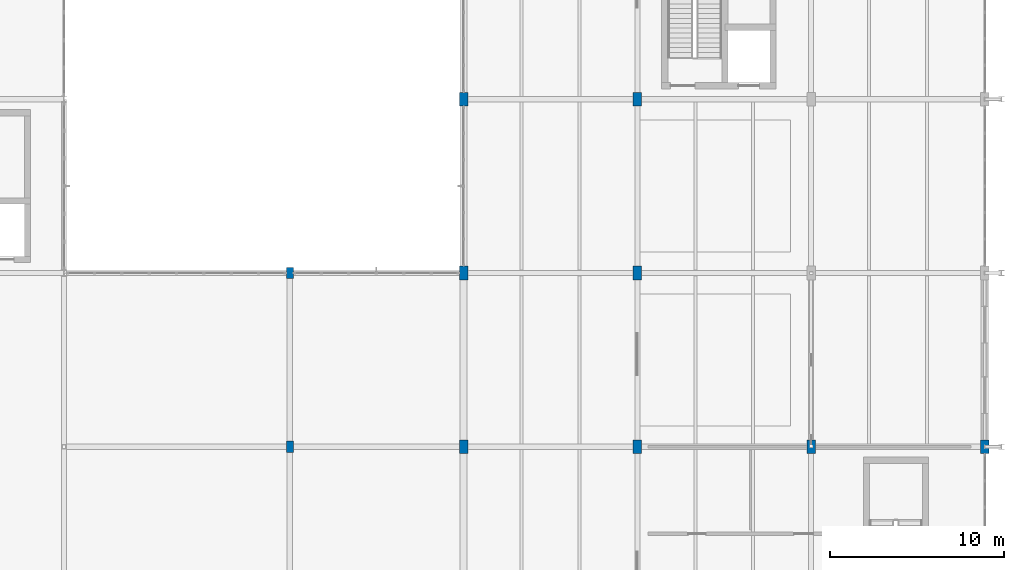
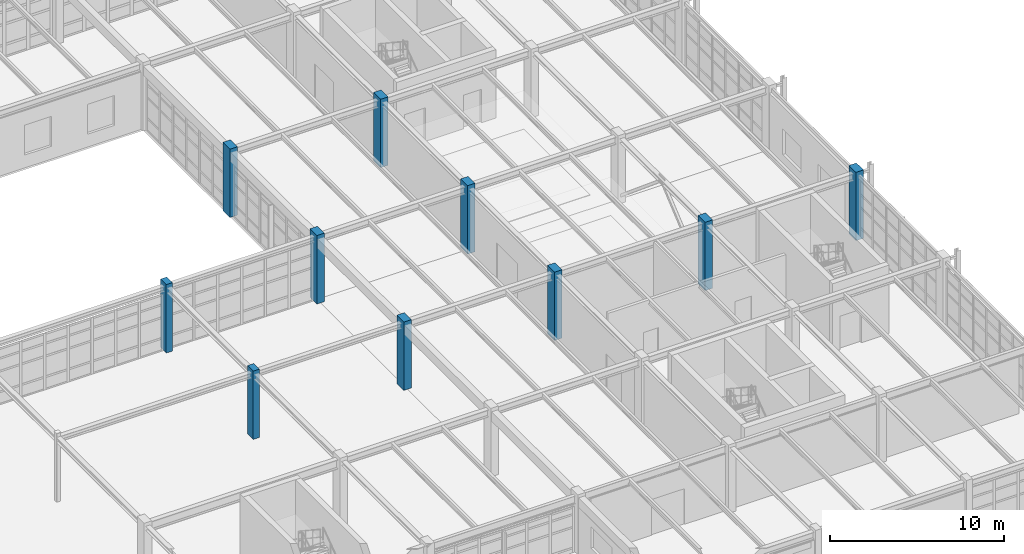
# One storey, part 19 of 139: 10 columns.
"""IFC4 building model written with IfcOpenShell, lengths in metres."""

import ifcopenshell
import ifcopenshell.guid

model = None  # the IFC model being written
_history = None  # IfcOwnerHistory: only IFC2X3 demands one
_inside = {}  # id of a spatial element -> (the spatial element, [elements in it])
_under = {}  # id of a project, library or spatial element -> (it, [spatial elements below it])
_declared = {}  # id of a project -> (the project, [libraries it declares])
_typed = {}  # id of a type object -> (the type object, [elements of that type])
_made_of = {}  # id of a material, layer set ... -> (it, [elements and type objects made of it])


def new_model(schema):
    """Start an empty IFC model of exactly this schema.

    Asked for "IFC4X3", IfcOpenShell would pick the latest addendum, in which some entities
    have other attributes; the version numbers below select the first issue.
    IFC2X3 requires an IfcOwnerHistory on every rooted entity: one is made here for all.
    """
    global model, _history
    if schema == "IFC4X3":
        model = ifcopenshell.file(schema_version=(4, 3, 0, 0))
    else:
        model = ifcopenshell.file(schema=schema)
    _inside.clear()
    _under.clear()
    _declared.clear()
    _typed.clear()
    _made_of.clear()
    _history = None
    if model.schema == "IFC2X3":
        org = make("IfcOrganization", Name="unknown")
        user = make(
            "IfcPersonAndOrganization",
            ThePerson=make("IfcPerson", FamilyName="unknown"),
            TheOrganization=org,
        )
        app = make(
            "IfcApplication",
            ApplicationDeveloper=org,
            Version="unknown",
            ApplicationFullName="unknown",
            ApplicationIdentifier="unknown",
        )
        _history = make(
            "IfcOwnerHistory",
            OwningUser=user,
            OwningApplication=app,
            ChangeAction="ADDED",
            CreationDate=0,
        )
    return model


def make(cls, **values):
    """One entity of the class cls with the attributes given. An attribute that is None is left unset."""
    return model.create_entity(
        cls, **{name: value for name, value in values.items() if value is not None}
    )


def rooted(cls, **values):
    """An entity with a GlobalId (a new one), such as an element, a storey or a relation."""
    return make(cls, GlobalId=ifcopenshell.guid.new(), OwnerHistory=_history, **values)


def si_unit(unit_type, name, prefix=None):
    """IfcSIUnit, for example si_unit("LENGTHUNIT", "METRE", prefix="MILLI")."""
    return make("IfcSIUnit", UnitType=unit_type, Prefix=prefix, Name=name)


def assignment(units):
    """IfcUnitAssignment: the units of a project."""
    return None if units is None else make("IfcUnitAssignment", Units=units)


def point(xyz):
    """IfcCartesianPoint."""
    return None if xyz is None else make("IfcCartesianPoint", Coordinates=xyz)


def direction(xyz):
    """IfcDirection."""
    return None if xyz is None else make("IfcDirection", DirectionRatios=xyz)


def frame(location, z_axis=None, x_axis=None):
    """IfcAxis2Placement3D, a coordinate frame: its origin and axes. An axis left out is left unset."""
    return make(
        "IfcAxis2Placement3D",
        Location=point(location),
        Axis=direction(z_axis),
        RefDirection=direction(x_axis),
    )


def frame_2d(location, x_axis=None):
    """IfcAxis2Placement2D, a coordinate frame in the plane: its origin and x axis."""
    return make(
        "IfcAxis2Placement2D", Location=point(location), RefDirection=direction(x_axis)
    )


def origin():
    """The frame at (0, 0, 0) with its axes left unset."""
    return frame((0.0, 0.0, 0.0))


def origin_2d():
    """The frame at (0, 0) in the plane with its x axis left unset."""
    return frame_2d((0.0, 0.0))


def place(relative_to, where):
    """IfcLocalPlacement: puts the frame where relative to a parent placement (None: the world)."""
    return make(
        "IfcLocalPlacement", PlacementRelTo=relative_to, RelativePlacement=where
    )


def context(
    kind, dimensions, precision=None, world=None, true_north=None, identifier=None
):
    """IfcGeometricRepresentationContext, for example the 3D "Model" context."""
    return make(
        "IfcGeometricRepresentationContext",
        ContextIdentifier=identifier,
        ContextType=kind,
        CoordinateSpaceDimension=dimensions,
        Precision=precision,
        WorldCoordinateSystem=world,
        TrueNorth=true_north,
    )


def subcontext(parent, identifier, kind, view, scale=None):
    """IfcGeometricRepresentationSubContext, for example "Body" below "Model"."""
    return make(
        "IfcGeometricRepresentationSubContext",
        ContextIdentifier=identifier,
        ContextType=kind,
        ParentContext=parent,
        TargetScale=scale,
        TargetView=view,
    )


def project(units=None, contexts=None):
    """IfcProject with its units and contexts."""
    return rooted(
        "IfcProject",
        Name="project",
        RepresentationContexts=contexts,
        UnitsInContext=assignment(units),
    )


def spatial(cls, under=None, at=None, **own):
    """A site, building, storey or space (cls), placed at a placement, below another one or the project."""
    s = rooted(cls, ObjectPlacement=at, **own)
    if under is not None:
        _under.setdefault(under.id(), (under, []))[1].append(s)
    return s


def profile(cls, at=None, kind="AREA", **sizes):
    """A parametric profile (cls). Its sizes go by their IFC names, for example OverallWidth=200.0."""
    return make(cls, ProfileType=kind, Position=at, **sizes)


def rectangle(**sizes):
    """IfcRectangleProfileDef."""
    return profile("IfcRectangleProfileDef", **sizes)


def extrude(swept, where, along, depth):
    """IfcExtrudedAreaSolid: the profile swept, set in the frame where, extruded along a direction by depth."""
    return make(
        "IfcExtrudedAreaSolid",
        SweptArea=swept,
        Position=where,
        ExtrudedDirection=direction(along),
        Depth=depth,
    )


def shape(context_of_items, identifier, shape_type, items):
    """IfcShapeRepresentation: the items that make up one representation, for example the "Body"."""
    return make(
        "IfcShapeRepresentation",
        ContextOfItems=context_of_items,
        RepresentationIdentifier=identifier,
        RepresentationType=shape_type,
        Items=items,
    )


def material(Name=None, Category=None):
    """IfcMaterial."""
    return make("IfcMaterial", Name=Name, Category=Category)


def material_profile(
    of_material, cross_section, Name=None, Category=None, Priority=None
):
    """IfcMaterialProfile: a cross section and its material."""
    return make(
        "IfcMaterialProfile",
        Name=Name,
        Material=of_material,
        Profile=cross_section,
        Priority=Priority,
        Category=Category,
    )


def profile_set(profiles, Name=None, composite=None):
    """IfcMaterialProfileSet."""
    return make(
        "IfcMaterialProfileSet",
        Name=Name,
        MaterialProfiles=profiles,
        CompositeProfile=composite,
    )


def made_of(thing, what):
    """Note that an element or type object is made of a material, layer set ...; save() writes the relation."""
    if what is not None:
        _made_of.setdefault(what.id(), (what, []))[1].append(thing)
    return thing


def type_object(cls, material=None, **own):
    """A type object (cls), such as IfcWallType, which elements share."""
    return made_of(rooted(cls, **own), material)


def element(
    cls,
    number,
    at=None,
    inside=None,
    cuts=None,
    type_object=None,
    material=None,
    context=None,
    identifier="Body",
    shape_type=None,
    held_by="IfcProductDefinitionShape",
    body=None,
    shapes=None,
    **own,
):
    """One element of the class cls, such as IfcWall. Its Tag is "e" and its number.

    at: its placement. inside: the storey or other place that contains it. cuts: it is an
    opening in that element (IfcRelVoidsElement). A single representation is given by context,
    identifier, shape_type and body (its items); several are given by shapes. held_by: the class
    of the entity that holds the representations. save() writes the other relations.
    """
    e = rooted(cls, Tag="e%d" % number, ObjectPlacement=at, **own)
    if body is not None:
        shapes = [shape(context, identifier, shape_type, body)]
    if shapes is not None:
        e.Representation = make(held_by, Representations=shapes)
    if inside is not None:
        _inside.setdefault(inside.id(), (inside, []))[1].append(e)
    if cuts is not None:
        rooted(
            "IfcRelVoidsElement", RelatingBuildingElement=cuts, RelatedOpeningElement=e
        )
    if type_object is not None:
        _typed.setdefault(type_object.id(), (type_object, []))[1].append(e)
    return made_of(e, material)


def aggregate(whole, parts):
    """IfcRelAggregates: a whole, such as a stair, and the parts it consists of."""
    return rooted("IfcRelAggregates", RelatingObject=whole, RelatedObjects=parts)


def save(model, path):
    """Write the relations noted so far, then the file.

    IfcRelAggregates (storeys below a building ...), IfcRelContainedInSpatialStructure (elements
    in a storey), IfcRelDefinesByType, IfcRelAssociatesMaterial and IfcRelDeclares: one each for
    every whole, place, type object, material and project.
    """
    for whole, parts in _under.values():
        aggregate(whole, parts)
    for where, things in _inside.values():
        rooted(
            "IfcRelContainedInSpatialStructure",
            RelatedElements=things,
            RelatingStructure=where,
        )
    for kind, things in _typed.values():
        rooted("IfcRelDefinesByType", RelatedObjects=things, RelatingType=kind)
    for what, things in _made_of.values():
        rooted("IfcRelAssociatesMaterial", RelatedObjects=things, RelatingMaterial=what)
    for by, libraries in _declared.values():
        rooted("IfcRelDeclares", RelatingContext=by, RelatedDefinitions=libraries)
    model.write(path)


model = new_model("IFC4")

# Units and contexts
model_context = context("Model", 3, precision=1e-05, world=origin(), true_north=direction((0.0, 1.0)))
body_context = subcontext(model_context, "Body", "Model", "MODEL_VIEW")
ifc_project = project(units=[si_unit("LENGTHUNIT", "METRE"), si_unit("AREAUNIT", "SQUARE_METRE"), si_unit("VOLUMEUNIT", "CUBIC_METRE"), si_unit("PLANEANGLEUNIT", "RADIAN"), si_unit("MASSUNIT", "GRAM", prefix="KILO"), si_unit("THERMODYNAMICTEMPERATUREUNIT", "KELVIN"), si_unit("POWERUNIT", "WATT")], contexts=[model_context])

# Site, building, storey
site_placement = place(None, origin())
site = spatial("IfcSite", under=ifc_project, at=site_placement, CompositionType="ELEMENT")
building_placement = place(site_placement, origin())
building = spatial("IfcBuilding", under=site, at=building_placement, Name="Korenveer Ferry Terminal", CompositionType="ELEMENT")
storey_placement = place(building_placement, frame((0.0, 0.0, 5.39990234375)))
storey = spatial("IfcBuildingStorey", under=building, at=storey_placement, Name="L01", CompositionType="ELEMENT", Elevation=5.39990234375)

# Columns
ifc_material = material(Name="Concrete C45/55", Category="concrete")
ifc_material_profile_1 = material_profile(ifc_material, rectangle(XDim=0.39990234375, YDim=0.64990234375, at=origin_2d()), Name="RC 400x650")
ifc_profile_set_1 = profile_set([ifc_material_profile_1], Name="Concrete C45/55")
column_type_1 = type_object("IfcColumnType", Name="STR-COL-RC400X650", PredefinedType="COLUMN", material=ifc_profile_set_1)
for number, where, z_axis, x_axis, name in (
    (1, (136.0, 40.0, 0.0), (0.0, 0.0, 1.0), (1.0, 0.0, 0.0), "Column COL-L01-X136-Y40"),
    (2, (136.0, 50.0, 0.0), (0.0, 0.0, 1.0), (1.0, 0.0, 0.0), "Column COL-L01-X136-Y50"),
):
    element("IfcColumn", number, at=place(storey_placement, frame(where, z_axis=z_axis, x_axis=x_axis)), inside=storey, type_object=column_type_1, Name=name, PredefinedType="COLUMN", context=body_context, shape_type="SweptSolid", body=[
        extrude(rectangle(XDim=0.39990234375, YDim=0.64990234375, at=origin_2d()), origin(), (0.0, 0.0, 1.0), 4.800048828125),
    ])
ifc_material_profile_2 = material_profile(ifc_material, rectangle(XDim=0.5, YDim=0.800048828125, at=origin_2d()), Name="RC 500x800")
ifc_profile_set_2 = profile_set([ifc_material_profile_2], Name="Concrete C45/55")
column_type_2 = type_object("IfcColumnType", Name="STR-COL-RC500X800", PredefinedType="COLUMN", material=ifc_profile_set_2)
for number, where, z_axis, x_axis, name in (
    (3, (146.0, 40.0, 0.0), (0.0, 0.0, 1.0), (1.0, 0.0, 0.0), "Column COL-L01-X146-Y40"),
    (4, (146.0, 50.0, 0.0), (0.0, 0.0, 1.0), (1.0, 0.0, 0.0), "Column COL-L01-X146-Y50"),
    (5, (146.0, 60.0, 0.0), (0.0, 0.0, 1.0), (1.0, 0.0, 0.0), "Column COL-L01-X146-Y60"),
    (6, (156.0, 40.0, 0.0), (0.0, 0.0, 1.0), (1.0, 0.0, 0.0), "Column COL-L01-X156-Y40"),
    (7, (156.0, 50.0, 0.0), (0.0, 0.0, 1.0), (1.0, 0.0, 0.0), "Column COL-L01-X156-Y50"),
    (8, (156.0, 60.0, 0.0), (0.0, 0.0, 1.0), (1.0, 0.0, 0.0), "Column COL-L01-X156-Y60"),
    (9, (166.0, 40.0, 0.0), (0.0, 0.0, 1.0), (1.0, 0.0, 0.0), "Column COL-L01-X166-Y40"),
    (10, (176.0, 40.0, 0.0), (0.0, 0.0, 1.0), (1.0, 0.0, 0.0), "Column COL-L01-X176-Y40"),
):
    element("IfcColumn", number, at=place(storey_placement, frame(where, z_axis=z_axis, x_axis=x_axis)), inside=storey, type_object=column_type_2, Name=name, PredefinedType="COLUMN", context=body_context, shape_type="SweptSolid", body=[
        extrude(rectangle(XDim=0.5, YDim=0.800048828125, at=origin_2d()), origin(), (0.0, 0.0, 1.0), 4.800048828125),
    ])

save(model, "model.ifc")
